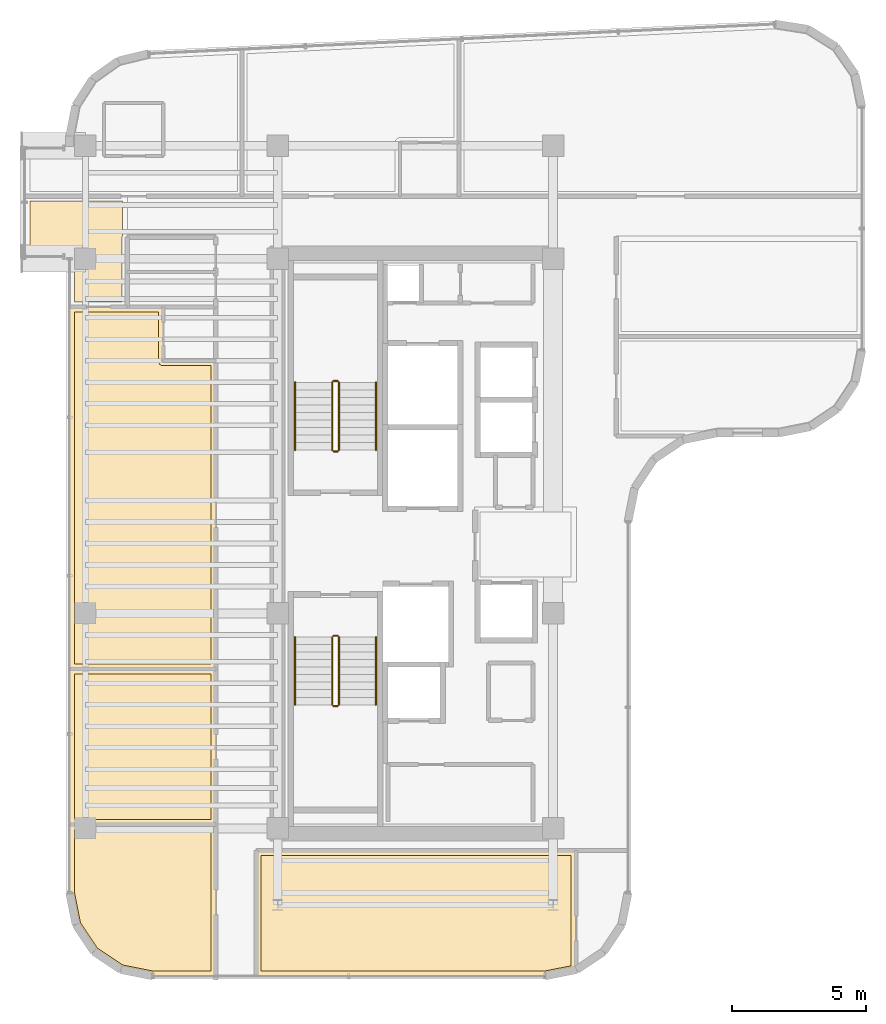
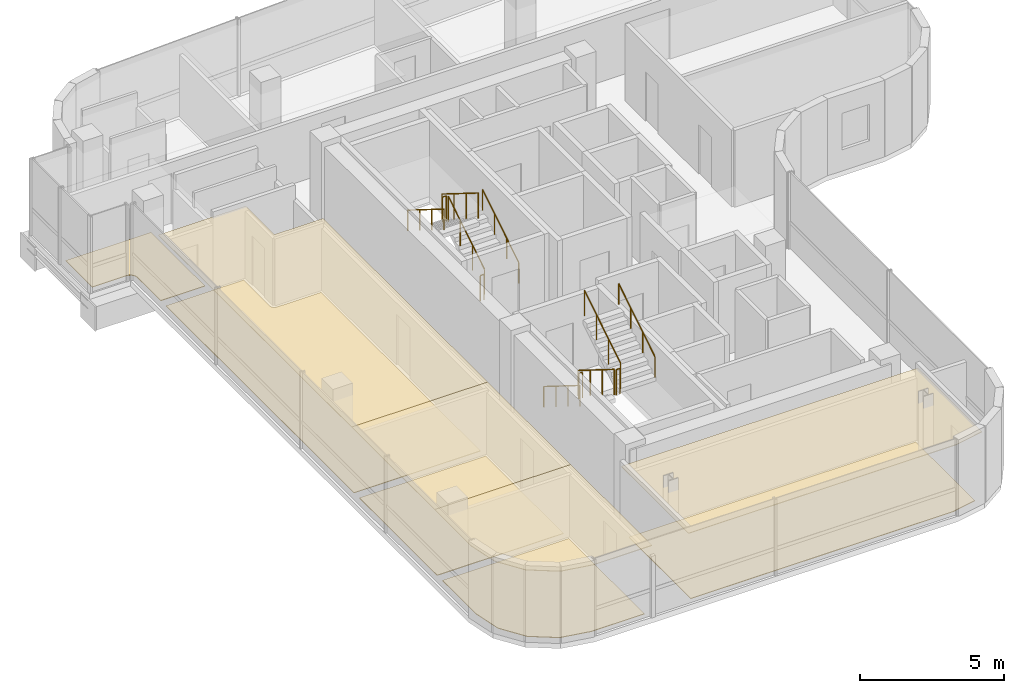
# One storey, part 19 of 20: 12 railings, 9 coverings.
"""IFC4 building model written with IfcOpenShell, lengths in metres."""

from ifc_helpers import new_model, si_unit, direction, frame, origin, origin_2d, place, context, subcontext, project, spatial, polyline, circle, outline, extrude, material, layer, layer_set, type_object, element, save


model = new_model("IFC4")

# Units and contexts
model_context = context("Model", 3, precision=1e-05, world=origin(), true_north=direction((0.0, 1.0)))
body_context = subcontext(model_context, "Body", "Model", "MODEL_VIEW")
ifc_project = project(units=[si_unit("LENGTHUNIT", "METRE"), si_unit("AREAUNIT", "SQUARE_METRE"), si_unit("VOLUMEUNIT", "CUBIC_METRE"), si_unit("PLANEANGLEUNIT", "RADIAN"), si_unit("MASSUNIT", "GRAM", prefix="KILO")], contexts=[model_context])

# Site, building, storey
site_placement = place(None, origin())
site = spatial("IfcSite", under=ifc_project, at=site_placement, CompositionType="ELEMENT")
building_placement = place(site_placement, origin())
building = spatial("IfcBuilding", under=site, at=building_placement, Name="Valdorenza Pilgrim Sanctuary Tower", CompositionType="ELEMENT")
storey_placement = place(building_placement, frame((0.0, 0.0, 283.5)))
storey = spatial("IfcBuildingStorey", under=building, at=storey_placement, Name="L74", CompositionType="ELEMENT", Elevation=283.5)

# Coverings
ifc_material_1 = material(Name="Micro-perforated acoustic mineral ceiling tile", Category="gypsum")
ifc_layer_1 = layer(ifc_material_1, 0.02490234375, Name="Micro-perforated acoustic mineral ceiling tile")
ifc_layer_set_1 = layer_set([ifc_layer_1], Name="Micro-perforated acoustic mineral ceiling tile")
covering_type_1 = type_object("IfcCoveringType", Name="COV-CLG-ACU", PredefinedType="CEILING", material=ifc_layer_set_1)
covering_1_placement = place(storey_placement, frame((0.0, 0.0, 2.9599609375)))
element("IfcCovering", 1, at=covering_1_placement, inside=storey, type_object=covering_type_1, Name="L74 Sacred Art Exhibition Gallery L74 Acoustic Ceiling", PredefinedType="CEILING", context=body_context, shape_type="SweptSolid", body=[
    extrude(outline(polyline([(-24.93505859375, -16.090087890625), (-24.93505859375, -16.091552734375), (-24.935302734375, -16.093017578125), (-24.935546875, -16.094482421875), (-24.93603515625, -16.095703125), (-24.936767578125, -16.09716796875), (-24.9375, -16.098388671875), (-24.9384765625, -16.099609375), (-24.939453125, -16.1005859375), (-24.9404296875, -16.1015625), (-24.941650390625, -16.1025390625), (-24.94287109375, -16.103271484375), (-24.9443359375, -16.10400390625), (-24.945556640625, -16.1044921875), (-24.947021484375, -16.104736328125), (-24.948486328125, -16.10498046875), (-24.949951171875, -16.10498046875), (-27.289306640625, -16.10498046875), (-27.29052734375, -16.10498046875), (-27.2919921875, -16.104736328125), (-28.484619140625, -15.867431640625), (-28.486083984375, -15.8671875), (-28.4873046875, -15.86669921875), (-28.48876953125, -15.865966796875), (-28.489990234375, -15.865234375), (-29.49169921875, -15.19580078125), (-29.492919921875, -15.195068359375), (-29.493896484375, -15.194091796875), (-29.4951171875, -15.19287109375), (-29.495849609375, -15.191650390625), (-30.165283203125, -14.18994140625), (-30.166015625, -14.188720703125), (-30.16650390625, -14.1875), (-30.1669921875, -14.18603515625), (-30.16748046875, -14.1845703125), (-30.40478515625, -12.9921875), (-30.40478515625, -12.990478515625), (-30.405029296875, -12.9892578125), (-30.405029296875, -10.455078125), (-30.40478515625, -10.45361328125), (-30.40478515625, -10.4521484375), (-30.404296875, -10.45068359375), (-30.40380859375, -10.44921875), (-30.4033203125, -10.447998046875), (-30.402587890625, -10.44677734375), (-30.401611328125, -10.445556640625), (-30.400634765625, -10.4443359375), (-30.3994140625, -10.443359375), (-30.398193359375, -10.4423828125), (-30.397216796875, -10.44189453125), (-30.395751953125, -10.441162109375), (-30.394287109375, -10.440673828125), (-30.392822265625, -10.440185546875), (-30.3916015625, -10.440185546875), (-30.389892578125, -10.43994140625), (-24.949951171875, -10.43994140625), (-24.948486328125, -10.440185546875), (-24.947021484375, -10.440185546875), (-24.945556640625, -10.440673828125), (-24.9443359375, -10.441162109375), (-24.94287109375, -10.44189453125), (-24.941650390625, -10.4423828125), (-24.9404296875, -10.443359375), (-24.939453125, -10.4443359375), (-24.9384765625, -10.445556640625), (-24.9375, -10.44677734375), (-24.936767578125, -10.447998046875), (-24.93603515625, -10.44921875), (-24.935546875, -10.45068359375), (-24.935302734375, -10.4521484375), (-24.93505859375, -10.45361328125), (-24.93505859375, -10.455078125), (-24.93505859375, -16.090087890625)])), origin(), (0.0, 0.0, 1.0), 0.025146484375),
])
covering_2_placement = place(storey_placement, frame((0.0, 0.0, 2.9599609375)))
element("IfcCovering", 2, at=covering_2_placement, inside=storey, type_object=covering_type_1, Name="L74 Theological Reference Library L74 Acoustic Ceiling", PredefinedType="CEILING", context=body_context, shape_type="SweptSolid", body=[
    extrude(outline(polyline([(-24.93505859375, -10.452880859375), (-24.93505859375, -10.45458984375), (-24.935302734375, -10.455810546875), (-24.935546875, -10.45751953125), (-24.93603515625, -10.458740234375), (-24.936767578125, -10.460205078125), (-24.9375, -10.461181640625), (-24.9384765625, -10.46240234375), (-24.939453125, -10.463623046875), (-24.9404296875, -10.464599609375), (-24.941650390625, -10.465576171875), (-24.94287109375, -10.46630859375), (-24.9443359375, -10.466796875), (-24.945556640625, -10.46728515625), (-24.947021484375, -10.4677734375), (-24.948486328125, -10.468017578125), (-24.949951171875, -10.468017578125), (-30.389892578125, -10.468017578125), (-30.3916015625, -10.468017578125), (-30.392822265625, -10.4677734375), (-30.394287109375, -10.46728515625), (-30.395751953125, -10.466796875), (-30.397216796875, -10.46630859375), (-30.398193359375, -10.465576171875), (-30.3994140625, -10.464599609375), (-30.400634765625, -10.463623046875), (-30.401611328125, -10.46240234375), (-30.402587890625, -10.461181640625), (-30.4033203125, -10.460205078125), (-30.40380859375, -10.458740234375), (-30.404296875, -10.45751953125), (-30.40478515625, -10.455810546875), (-30.40478515625, -10.45458984375), (-30.405029296875, -10.452880859375), (-30.405029296875, -4.669921875), (-30.40478515625, -4.66845703125), (-30.40478515625, -4.6669921875), (-30.404296875, -4.66552734375), (-30.40380859375, -4.664306640625), (-30.4033203125, -4.662841796875), (-30.402587890625, -4.66162109375), (-30.401611328125, -4.660400390625), (-30.400634765625, -4.659423828125), (-30.3994140625, -4.658447265625), (-30.398193359375, -4.657470703125), (-30.397216796875, -4.65673828125), (-30.395751953125, -4.656005859375), (-30.394287109375, -4.655517578125), (-30.392822265625, -4.6552734375), (-30.3916015625, -4.655029296875), (-30.389892578125, -4.655029296875), (-24.949951171875, -4.655029296875), (-24.948486328125, -4.655029296875), (-24.947021484375, -4.6552734375), (-24.945556640625, -4.655517578125), (-24.9443359375, -4.656005859375), (-24.94287109375, -4.65673828125), (-24.941650390625, -4.657470703125), (-24.9404296875, -4.658447265625), (-24.939453125, -4.659423828125), (-24.9384765625, -4.660400390625), (-24.9375, -4.66162109375), (-24.936767578125, -4.662841796875), (-24.93603515625, -4.664306640625), (-24.935546875, -4.66552734375), (-24.935302734375, -4.6669921875), (-24.93505859375, -4.66845703125), (-24.93505859375, -4.669921875), (-24.93505859375, -10.452880859375)])), origin(), (0.0, 0.0, 1.0), 0.025146484375),
])
covering_3_placement = place(storey_placement, frame((0.0, 0.0, 2.9599609375)))
element("IfcCovering", 3, at=covering_3_placement, inside=storey, type_object=covering_type_1, Name="L74 Pilgrim Guest Room L74-GW1 Acoustic Ceiling", PredefinedType="CEILING", context=body_context, shape_type="SweptSolid", body=[
    extrude(outline(polyline([(-30.405029296875, 8.798095703125), (-30.40478515625, 8.799560546875), (-30.40478515625, 8.80078125), (-30.404296875, 8.802490234375), (-30.40380859375, 8.8037109375), (-30.4033203125, 8.80517578125), (-30.402587890625, 8.806396484375), (-30.401611328125, 8.8076171875), (-30.400634765625, 8.80859375), (-30.3994140625, 8.8095703125), (-30.398193359375, 8.810546875), (-30.397216796875, 8.811279296875), (-30.395751953125, 8.81201171875), (-30.394287109375, 8.8125), (-30.392822265625, 8.812744140625), (-30.3916015625, 8.81298828125), (-30.389892578125, 8.81298828125), (-28.253662109375, 8.81298828125), (-28.253173828125, 8.81298828125), (-28.25146484375, 8.813232421875), (-28.25, 8.813232421875), (-28.24853515625, 8.81298828125), (-28.248291015625, 8.81298828125), (-26.909912109375, 8.81298828125), (-26.908447265625, 8.81298828125), (-26.906982421875, 8.812744140625), (-26.905517578125, 8.8125), (-26.904296875, 8.81201171875), (-26.90283203125, 8.811279296875), (-26.901611328125, 8.810546875), (-26.900390625, 8.8095703125), (-26.8994140625, 8.80859375), (-26.8984375, 8.8076171875), (-26.8974609375, 8.806396484375), (-26.896728515625, 8.80517578125), (-26.89599609375, 8.8037109375), (-26.8955078125, 8.802490234375), (-26.895263671875, 8.80078125), (-26.89501953125, 8.799560546875), (-26.89501953125, 8.798095703125), (-26.89501953125, 6.81298828125), (-24.949951171875, 6.81298828125), (-24.948486328125, 6.81298828125), (-24.947021484375, 6.812744140625), (-24.945556640625, 6.8125), (-24.9443359375, 6.81201171875), (-24.94287109375, 6.811279296875), (-24.941650390625, 6.810546875), (-24.9404296875, 6.8095703125), (-24.939453125, 6.80859375), (-24.9384765625, 6.8076171875), (-24.9375, 6.806396484375), (-24.936767578125, 6.80517578125), (-24.93603515625, 6.8037109375), (-24.935546875, 6.802490234375), (-24.935302734375, 6.80078125), (-24.93505859375, 6.799560546875), (-24.93505859375, 6.798095703125), (-24.93505859375, -4.66796875), (-24.93505859375, -4.66943359375), (-24.935302734375, -4.6708984375), (-24.935546875, -4.67236328125), (-24.93603515625, -4.673583984375), (-24.936767578125, -4.675048828125), (-24.9375, -4.67626953125), (-24.9384765625, -4.677490234375), (-24.939453125, -4.6787109375), (-24.9404296875, -4.6796875), (-24.941650390625, -4.680419921875), (-24.94287109375, -4.68115234375), (-24.9443359375, -4.681884765625), (-24.945556640625, -4.682373046875), (-24.947021484375, -4.6826171875), (-24.948486328125, -4.682861328125), (-24.949951171875, -4.68310546875), (-30.389892578125, -4.68310546875), (-30.3916015625, -4.682861328125), (-30.392822265625, -4.6826171875), (-30.394287109375, -4.682373046875), (-30.395751953125, -4.681884765625), (-30.397216796875, -4.68115234375), (-30.398193359375, -4.680419921875), (-30.3994140625, -4.6796875), (-30.400634765625, -4.6787109375), (-30.401611328125, -4.677490234375), (-30.402587890625, -4.67626953125), (-30.4033203125, -4.675048828125), (-30.40380859375, -4.673583984375), (-30.404296875, -4.67236328125), (-30.40478515625, -4.6708984375), (-30.40478515625, -4.66943359375), (-30.405029296875, -4.66796875), (-30.405029296875, 8.798095703125)])), origin(), (0.0, 0.0, 1.0), 0.025146484375),
])
covering_4_placement = place(storey_placement, frame((0.0, 0.0, 2.9599609375)))
element("IfcCovering", 4, at=covering_4_placement, inside=storey, type_object=covering_type_1, Name="L74 South Contemplation Lounge L74 Acoustic Ceiling", PredefinedType="CEILING", context=body_context, shape_type="SweptSolid", body=[
    extrude(outline(polyline([(-11.550048828125, -11.405029296875), (-11.548583984375, -11.405029296875), (-11.547119140625, -11.4052734375), (-11.545654296875, -11.405517578125), (-11.544189453125, -11.406005859375), (-11.54296875, -11.40673828125), (-11.541748046875, -11.407470703125), (-11.54052734375, -11.408447265625), (-11.539306640625, -11.409423828125), (-11.538330078125, -11.410400390625), (-11.53759765625, -11.41162109375), (-11.536865234375, -11.412841796875), (-11.5361328125, -11.414306640625), (-11.53564453125, -11.41552734375), (-11.535400390625, -11.4169921875), (-11.53515625, -11.41845703125), (-11.534912109375, -11.419921875), (-11.534912109375, -15.859130859375), (-11.53515625, -15.860595703125), (-11.535400390625, -15.862060546875), (-11.53564453125, -15.86328125), (-11.5361328125, -15.86474609375), (-11.536865234375, -15.8662109375), (-11.53759765625, -15.867431640625), (-11.538330078125, -15.86865234375), (-11.539306640625, -15.86962890625), (-11.54052734375, -15.87060546875), (-11.541748046875, -15.87158203125), (-11.54296875, -15.872314453125), (-11.544189453125, -15.872802734375), (-11.545654296875, -15.873291015625), (-11.547119140625, -15.873779296875), (-12.7080078125, -16.104736328125), (-12.70947265625, -16.10498046875), (-12.710693359375, -16.10498046875), (-23.449951171875, -16.10498046875), (-23.451416015625, -16.10498046875), (-23.452880859375, -16.104736328125), (-23.454345703125, -16.1044921875), (-23.455810546875, -16.10400390625), (-23.45703125, -16.103271484375), (-23.458251953125, -16.1025390625), (-23.45947265625, -16.1015625), (-23.460693359375, -16.1005859375), (-23.461669921875, -16.099609375), (-23.46240234375, -16.098388671875), (-23.463134765625, -16.09716796875), (-23.4638671875, -16.095703125), (-23.46435546875, -16.094482421875), (-23.464599609375, -16.093017578125), (-23.46484375, -16.091552734375), (-23.465087890625, -16.090087890625), (-23.465087890625, -11.419921875), (-23.46484375, -11.41845703125), (-23.464599609375, -11.4169921875), (-23.46435546875, -11.41552734375), (-23.4638671875, -11.414306640625), (-23.463134765625, -11.412841796875), (-23.46240234375, -11.41162109375), (-23.461669921875, -11.410400390625), (-23.460693359375, -11.409423828125), (-23.45947265625, -11.408447265625), (-23.458251953125, -11.407470703125), (-23.45703125, -11.40673828125), (-23.455810546875, -11.406005859375), (-23.454345703125, -11.405517578125), (-23.452880859375, -11.4052734375), (-23.451416015625, -11.405029296875), (-23.449951171875, -11.405029296875), (-11.550048828125, -11.405029296875)])), origin(), (0.0, 0.0, 1.0), 0.025146484375),
])
ifc_material_2 = material(Name="Engineered European oak timber flooring", Category="wood")
ifc_layer_2 = layer(ifc_material_2, 0.02197265625, Name="Engineered European oak timber flooring")
ifc_layer_set_2 = layer_set([ifc_layer_2], Name="Engineered European oak timber flooring")
covering_type_2 = type_object("IfcCoveringType", Name="COV-FLR-OAK", PredefinedType="FLOORING", material=ifc_layer_set_2)
covering_5_placement = place(storey_placement, origin())
element("IfcCovering", 5, at=covering_5_placement, inside=storey, type_object=covering_type_2, Name="L74 Pilgrim Guest Room L74-GW1 Flooring", PredefinedType="FLOORING", context=body_context, shape_type="SweptSolid", body=[
    extrude(outline(polyline([(-30.2099609375, 8.617919921875), (-28.251953125, 8.617919921875), (-28.2509765625, 8.617919921875), (-28.250244140625, 8.617919921875), (-28.25, 8.617919921875), (-27.090087890625, 8.617919921875), (-27.090087890625, 6.800048828125), (-27.08984375, 6.791259765625), (-27.08984375, 6.791015625), (-27.087890625, 6.7734375), (-27.087890625, 6.773193359375), (-27.084716796875, 6.755859375), (-27.08447265625, 6.755615234375), (-27.079345703125, 6.73876953125), (-27.079345703125, 6.738525390625), (-27.072509765625, 6.722412109375), (-27.072509765625, 6.72216796875), (-27.064208984375, 6.70654296875), (-27.064208984375, 6.706298828125), (-27.05419921875, 6.691650390625), (-27.05419921875, 6.69140625), (-27.04296875, 6.677978515625), (-27.042724609375, 6.677734375), (-27.0302734375, 6.665283203125), (-27.030029296875, 6.6650390625), (-27.0166015625, 6.65380859375), (-27.016357421875, 6.65380859375), (-27.001708984375, 6.643798828125), (-27.00146484375, 6.643798828125), (-26.98583984375, 6.635498046875), (-26.985595703125, 6.635498046875), (-26.969482421875, 6.628662109375), (-26.96923828125, 6.628662109375), (-26.952392578125, 6.62353515625), (-26.9521484375, 6.623291015625), (-26.934814453125, 6.6201171875), (-26.9345703125, 6.6201171875), (-26.9169921875, 6.6181640625), (-26.916748046875, 6.6181640625), (-26.907958984375, 6.617919921875), (-25.1298828125, 6.617919921875), (-25.1298828125, -4.488037109375), (-30.2099609375, -4.488037109375), (-30.2099609375, 8.617919921875)])), origin(), (0.0, 0.0, 1.0), 0.02490234375),
])
ifc_material_3 = material(Name="Honed travertine stone flooring", Category="masonry")
ifc_layer_3 = layer(ifc_material_3, 0.030029296875, Name="Honed travertine stone flooring")
ifc_layer_set_3 = layer_set([ifc_layer_3], Name="Honed travertine stone flooring")
covering_type_3 = type_object("IfcCoveringType", Name="COV-FLR-TRV", PredefinedType="FLOORING", material=ifc_layer_set_3)
covering_6_placement = place(storey_placement, origin())
element("IfcCovering", 6, at=covering_6_placement, inside=storey, type_object=covering_type_3, Name="L74 Pilgrim Scholar Office L74-WN Flooring", PredefinedType="FLOORING", context=body_context, shape_type="SweptSolid", body=[
    extrude(outline(polyline([(-28.431884765625, 10.100341796875), (-28.431884765625, 10.10009765625), (-28.431884765625, 8.97998046875), (-30.2099609375, 8.97998046875), (-30.2099609375, 10.60009765625), (-30.210205078125, 10.60888671875), (-30.210693359375, 10.61962890625), (-30.21240234375, 10.63720703125), (-30.214111328125, 10.64794921875), (-30.217529296875, 10.665283203125), (-30.22021484375, 10.67578125), (-30.225341796875, 10.692626953125), (-30.22900390625, 10.70263671875), (-30.235595703125, 10.718994140625), (-30.240234375, 10.728759765625), (-30.24853515625, 10.744384765625), (-30.254150390625, 10.753662109375), (-30.263916015625, 10.768310546875), (-30.2705078125, 10.777099609375), (-30.281494140625, 10.790771484375), (-30.288818359375, 10.798583984375), (-30.30126953125, 10.811279296875), (-30.309326171875, 10.818359375), (-30.322998046875, 10.82958984375), (-30.331787109375, 10.8359375), (-30.34619140625, 10.845947265625), (-30.355712890625, 10.851318359375), (-30.37109375, 10.859619140625), (-30.380859375, 10.8642578125), (-30.397216796875, 10.87109375), (-30.407470703125, 10.874755859375), (-30.42431640625, 10.8798828125), (-30.434814453125, 10.882568359375), (-30.4521484375, 10.885986328125), (-30.462890625, 10.887451171875), (-30.48046875, 10.889404296875), (-30.4912109375, 10.889892578125), (-30.5, 10.889892578125), (-31.860107421875, 10.889892578125), (-31.860107421875, 12.739990234375), (-28.429931640625, 12.739990234375), (-28.429931640625, 11.427001953125), (-28.429931640625, 11.4267578125), (-28.429931640625, 11.426513671875), (-28.431884765625, 11.408935546875), (-28.431884765625, 11.40869140625), (-28.431884765625, 11.39990234375), (-28.431884765625, 10.10205078125), (-28.431884765625, 10.10107421875), (-28.431884765625, 10.100341796875)])), origin(), (0.0, 0.0, 1.0), 0.02490234375),
])
covering_7_placement = place(storey_placement, origin())
element("IfcCovering", 7, at=covering_7_placement, inside=storey, type_object=covering_type_3, Name="L74 Sacred Art Exhibition Gallery L74 Flooring", PredefinedType="FLOORING", context=body_context, shape_type="SweptSolid", body=[
    extrude(outline(polyline([(-25.1298828125, -15.909912109375), (-27.271484375, -15.909912109375), (-28.411376953125, -15.68310546875), (-29.353515625, -15.0537109375), (-29.983154296875, -14.111328125), (-30.2099609375, -12.971435546875), (-30.2099609375, -10.635009765625), (-25.1298828125, -10.635009765625), (-25.1298828125, -15.909912109375)])), origin(), (0.0, 0.0, 1.0), 0.02490234375),
])
covering_8_placement = place(storey_placement, origin())
element("IfcCovering", 8, at=covering_8_placement, inside=storey, type_object=covering_type_3, Name="L74 Theological Reference Library L74 Flooring", PredefinedType="FLOORING", context=body_context, shape_type="SweptSolid", body=[
    extrude(outline(polyline([(-25.1298828125, -10.27294921875), (-30.2099609375, -10.27294921875), (-30.2099609375, -4.85009765625), (-25.1298828125, -4.85009765625), (-25.1298828125, -10.27294921875)])), origin(), (0.0, 0.0, 1.0), 0.02490234375),
])
covering_9_placement = place(storey_placement, origin())
element("IfcCovering", 9, at=covering_9_placement, inside=storey, type_object=covering_type_3, Name="L74 South Contemplation Lounge L74 Flooring", PredefinedType="FLOORING", context=body_context, shape_type="SweptSolid", body=[
    extrude(outline(polyline([(-11.72998046875, -11.60009765625), (-11.72998046875, -15.71142578125), (-12.728515625, -15.909912109375), (-23.27001953125, -15.909912109375), (-23.27001953125, -11.60009765625), (-11.72998046875, -11.60009765625)])), origin(), (0.0, 0.0, 1.0), 0.02490234375),
])

# Railings
ifc_material_4 = material(Name="Stainless steel Grade 316", Category="steel")
railing_type_1 = type_object("IfcRailingType", Name="RLG-GRD-1120", PredefinedType="GUARDRAIL", material=ifc_material_4)
railing_1_placement = place(storey_placement, frame((-20.3701171875, 3.47998046875, 0.175048828125)))
element("IfcRailing", 10, at=railing_1_placement, inside=storey, type_object=railing_type_1, Name="L74 ST-A1 stair guard 1", PredefinedType="GUARDRAIL", context=body_context, shape_type="SweptSolid", body=[
    extrude(circle(Radius=0.02392578125, at=origin_2d()), frame((0.0, 0.0, 1.076171875), z_axis=(0.0, 0.848007534815, 0.529984170421), x_axis=(-1.0, 0.0, 0.0)), (0.0, 0.0, 1.0), 2.9716796875),
    extrude(circle(Radius=0.02099609375, at=origin_2d()), origin(), (0.0, 0.0, 1.0), 1.052001953125),
    extrude(circle(Radius=0.02099609375, at=origin_2d()), frame((0.0, 0.840087890625, 0.52490234375)), (0.0, 0.0, 1.0), 1.052001953125),
    extrude(circle(Radius=0.02099609375, at=origin_2d()), frame((0.0, 1.679931640625, 1.050048828125)), (0.0, 0.0, 1.0), 1.052001953125),
    extrude(circle(Radius=0.02099609375, at=origin_2d()), frame((0.0, 2.52001953125, 1.574951171875)), (0.0, 0.0, 1.0), 1.052001953125),
])
railing_2_placement = place(storey_placement, frame((-20.419921875, 6.050048828125, 1.75)))
element("IfcRailing", 11, at=railing_2_placement, inside=storey, type_object=railing_type_1, Name="L74 ST-A1 stair guard 2", PredefinedType="GUARDRAIL", context=body_context, shape_type="SweptSolid", body=[
    extrude(circle(Radius=0.02392578125, at=origin_2d()), frame((0.0, 0.0, 1.076171875), z_axis=(-1.0, 0.0, 0.0), x_axis=(0.0, -1.0, 0.0)), (0.0, 0.0, 1.0), 0.150146484375),
    extrude(circle(Radius=0.02099609375, at=origin_2d()), origin(), (0.0, 0.0, 1.0), 1.052001953125),
    extrude(circle(Radius=0.02099609375, at=origin_2d()), frame((-0.150146484375, 0.0, 0.0)), (0.0, 0.0, 1.0), 1.052001953125),
])
railing_3_placement = place(storey_placement, frame((-20.6201171875, 6.0, 1.925048828125)))
element("IfcRailing", 12, at=railing_3_placement, inside=storey, type_object=railing_type_1, Name="L74 ST-A1 stair guard 3", PredefinedType="GUARDRAIL", context=body_context, shape_type="SweptSolid", body=[
    extrude(circle(Radius=0.02392578125, at=origin_2d()), frame((0.0, 0.0, 1.076171875), z_axis=(0.0, -0.848007534815, 0.529984170421), x_axis=(1.0, 0.0, 0.0)), (0.0, 0.0, 1.0), 2.9716796875),
    extrude(circle(Radius=0.02099609375, at=origin_2d()), origin(), (0.0, 0.0, 1.0), 1.052001953125),
    extrude(circle(Radius=0.02099609375, at=origin_2d()), frame((0.0, -0.840087890625, 0.52490234375)), (0.0, 0.0, 1.0), 1.052001953125),
    extrude(circle(Radius=0.02099609375, at=origin_2d()), frame((0.0, -1.679931640625, 1.050048828125)), (0.0, 0.0, 1.0), 1.052001953125),
    extrude(circle(Radius=0.02099609375, at=origin_2d()), frame((0.0, -2.52001953125, 1.574951171875)), (0.0, 0.0, 1.0), 1.052001953125),
])
railing_4_placement = place(storey_placement, frame((-20.419921875, 3.429931640625, 0.0)))
element("IfcRailing", 13, at=railing_4_placement, inside=storey, type_object=railing_type_1, Name="L74 ST-A1 stair guard 4", PredefinedType="GUARDRAIL", context=body_context, shape_type="SweptSolid", body=[
    extrude(circle(Radius=0.02392578125, at=origin_2d()), frame((0.0, 0.0, 1.076171875), z_axis=(-1.0, 0.0, 0.0), x_axis=(0.0, -1.0, 0.0)), (0.0, 0.0, 1.0), 0.150146484375),
    extrude(circle(Radius=0.02099609375, at=origin_2d()), origin(), (0.0, 0.0, 1.0), 1.052001953125),
    extrude(circle(Radius=0.02099609375, at=origin_2d()), frame((-0.150146484375, 0.0, 0.0)), (0.0, 0.0, 1.0), 1.052001953125),
])
railing_5_placement = place(storey_placement, frame((-20.6201171875, -3.47998046875, 0.175048828125)))
element("IfcRailing", 14, at=railing_5_placement, inside=storey, type_object=railing_type_1, Name="L74 ST-A2 stair guard 1", PredefinedType="GUARDRAIL", context=body_context, shape_type="SweptSolid", body=[
    extrude(circle(Radius=0.02392578125, at=origin_2d()), frame((0.0, 0.0, 1.076171875), z_axis=(0.0, -0.848007534815, 0.529984170421), x_axis=(1.0, 0.0, 0.0)), (0.0, 0.0, 1.0), 2.9716796875),
    extrude(circle(Radius=0.02099609375, at=origin_2d()), origin(), (0.0, 0.0, 1.0), 1.052001953125),
    extrude(circle(Radius=0.02099609375, at=origin_2d()), frame((0.0, -0.840087890625, 0.52490234375)), (0.0, 0.0, 1.0), 1.052001953125),
    extrude(circle(Radius=0.02099609375, at=origin_2d()), frame((0.0, -1.679931640625, 1.050048828125)), (0.0, 0.0, 1.0), 1.052001953125),
    extrude(circle(Radius=0.02099609375, at=origin_2d()), frame((0.0, -2.52001953125, 1.574951171875)), (0.0, 0.0, 1.0), 1.052001953125),
])
railing_6_placement = place(storey_placement, frame((-20.570068359375, -6.050048828125, 1.75)))
element("IfcRailing", 15, at=railing_6_placement, inside=storey, type_object=railing_type_1, Name="L74 ST-A2 stair guard 2", PredefinedType="GUARDRAIL", context=body_context, shape_type="SweptSolid", body=[
    extrude(circle(Radius=0.02392578125, at=origin_2d()), frame((0.0, 0.0, 1.076171875), z_axis=(1.0, 0.0, 0.0), x_axis=(0.0, 1.0, 0.0)), (0.0, 0.0, 1.0), 0.150146484375),
    extrude(circle(Radius=0.02099609375, at=origin_2d()), origin(), (0.0, 0.0, 1.0), 1.052001953125),
    extrude(circle(Radius=0.02099609375, at=origin_2d()), frame((0.150146484375, 0.0, 0.0)), (0.0, 0.0, 1.0), 1.052001953125),
])
railing_7_placement = place(storey_placement, frame((-20.3701171875, -6.0, 1.925048828125)))
element("IfcRailing", 16, at=railing_7_placement, inside=storey, type_object=railing_type_1, Name="L74 ST-A2 stair guard 3", PredefinedType="GUARDRAIL", context=body_context, shape_type="SweptSolid", body=[
    extrude(circle(Radius=0.02392578125, at=origin_2d()), frame((0.0, 0.0, 1.076171875), z_axis=(0.0, 0.848007534815, 0.529984170421), x_axis=(-1.0, 0.0, 0.0)), (0.0, 0.0, 1.0), 2.9716796875),
    extrude(circle(Radius=0.02099609375, at=origin_2d()), origin(), (0.0, 0.0, 1.0), 1.052001953125),
    extrude(circle(Radius=0.02099609375, at=origin_2d()), frame((0.0, 0.840087890625, 0.52490234375)), (0.0, 0.0, 1.0), 1.052001953125),
    extrude(circle(Radius=0.02099609375, at=origin_2d()), frame((0.0, 1.679931640625, 1.050048828125)), (0.0, 0.0, 1.0), 1.052001953125),
    extrude(circle(Radius=0.02099609375, at=origin_2d()), frame((0.0, 2.52001953125, 1.574951171875)), (0.0, 0.0, 1.0), 1.052001953125),
])
railing_8_placement = place(storey_placement, frame((-20.570068359375, -3.429931640625, 0.0)))
element("IfcRailing", 17, at=railing_8_placement, inside=storey, type_object=railing_type_1, Name="L74 ST-A2 stair guard 4", PredefinedType="GUARDRAIL", context=body_context, shape_type="SweptSolid", body=[
    extrude(circle(Radius=0.02392578125, at=origin_2d()), frame((0.0, 0.0, 1.076171875), z_axis=(1.0, 0.0, 0.0), x_axis=(0.0, 1.0, 0.0)), (0.0, 0.0, 1.0), 0.150146484375),
    extrude(circle(Radius=0.02099609375, at=origin_2d()), origin(), (0.0, 0.0, 1.0), 1.052001953125),
    extrude(circle(Radius=0.02099609375, at=origin_2d()), frame((0.150146484375, 0.0, 0.0)), (0.0, 0.0, 1.0), 1.052001953125),
])
ifc_material_5 = material(Name="Brushed stainless steel Grade 316", Category="steel")
railing_type_2 = type_object("IfcRailingType", Name="RLG-HND-920", PredefinedType="HANDRAIL", material=ifc_material_5)
railing_9_placement = place(storey_placement, frame((-18.989990234375, 3.47998046875, 0.175048828125)))
element("IfcRailing", 18, at=railing_9_placement, inside=storey, type_object=railing_type_2, Name="L74 ST-A1 stair handrail 1", PredefinedType="HANDRAIL", context=body_context, shape_type="SweptSolid", body=[
    extrude(circle(Radius=0.02392578125, at=origin_2d()), frame((0.0, 0.0, 0.8759765625), z_axis=(0.0, 0.848007534815, 0.529984170421), x_axis=(-1.0, 0.0, 0.0)), (0.0, 0.0, 1.0), 2.9716796875),
    extrude(circle(Radius=0.02099609375, at=origin_2d()), origin(), (0.0, 0.0, 1.0), 0.851806640625),
    extrude(circle(Radius=0.02099609375, at=origin_2d()), frame((0.0, 0.840087890625, 0.52490234375)), (0.0, 0.0, 1.0), 0.851806640625),
    extrude(circle(Radius=0.02099609375, at=origin_2d()), frame((0.0, 1.679931640625, 1.050048828125)), (0.0, 0.0, 1.0), 0.851806640625),
    extrude(circle(Radius=0.02099609375, at=origin_2d()), frame((0.0, 2.52001953125, 1.574951171875)), (0.0, 0.0, 1.0), 0.851806640625),
])
for number, where, name in (
    (19, (-22.0, 6.0, 1.925048828125), "L74 ST-A1 stair handrail 2"),
    (20, (-22.0, -3.47998046875, 0.175048828125), "L74 ST-A2 stair handrail 1"),
):
    element("IfcRailing", number, at=place(storey_placement, frame(where)), inside=storey, type_object=railing_type_2, Name=name, PredefinedType="HANDRAIL", context=body_context, shape_type="SweptSolid", body=[
        extrude(circle(Radius=0.02392578125, at=origin_2d()), frame((0.0, 0.0, 0.8759765625), z_axis=(0.0, -0.848007534815, 0.529984170421), x_axis=(1.0, 0.0, 0.0)), (0.0, 0.0, 1.0), 2.9716796875),
        extrude(circle(Radius=0.02099609375, at=origin_2d()), origin(), (0.0, 0.0, 1.0), 0.851806640625),
        extrude(circle(Radius=0.02099609375, at=origin_2d()), frame((0.0, -0.840087890625, 0.52490234375)), (0.0, 0.0, 1.0), 0.851806640625),
        extrude(circle(Radius=0.02099609375, at=origin_2d()), frame((0.0, -1.679931640625, 1.050048828125)), (0.0, 0.0, 1.0), 0.851806640625),
        extrude(circle(Radius=0.02099609375, at=origin_2d()), frame((0.0, -2.52001953125, 1.574951171875)), (0.0, 0.0, 1.0), 0.851806640625),
    ])
railing_10_placement = place(storey_placement, frame((-18.989990234375, -6.0, 1.925048828125)))
element("IfcRailing", 21, at=railing_10_placement, inside=storey, type_object=railing_type_2, Name="L74 ST-A2 stair handrail 2", PredefinedType="HANDRAIL", context=body_context, shape_type="SweptSolid", body=[
    extrude(circle(Radius=0.02392578125, at=origin_2d()), frame((0.0, 0.0, 0.8759765625), z_axis=(0.0, 0.848007534815, 0.529984170421), x_axis=(-1.0, 0.0, 0.0)), (0.0, 0.0, 1.0), 2.9716796875),
    extrude(circle(Radius=0.02099609375, at=origin_2d()), origin(), (0.0, 0.0, 1.0), 0.851806640625),
    extrude(circle(Radius=0.02099609375, at=origin_2d()), frame((0.0, 0.840087890625, 0.52490234375)), (0.0, 0.0, 1.0), 0.851806640625),
    extrude(circle(Radius=0.02099609375, at=origin_2d()), frame((0.0, 1.679931640625, 1.050048828125)), (0.0, 0.0, 1.0), 0.851806640625),
    extrude(circle(Radius=0.02099609375, at=origin_2d()), frame((0.0, 2.52001953125, 1.574951171875)), (0.0, 0.0, 1.0), 0.851806640625),
])

save(model, "model.ifc")
